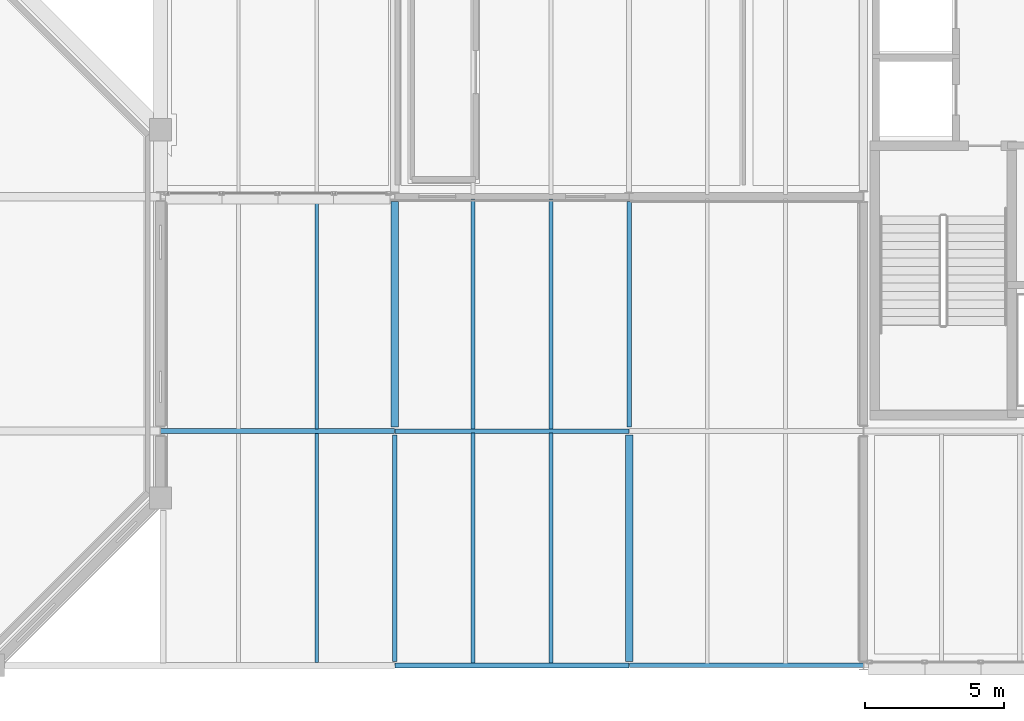
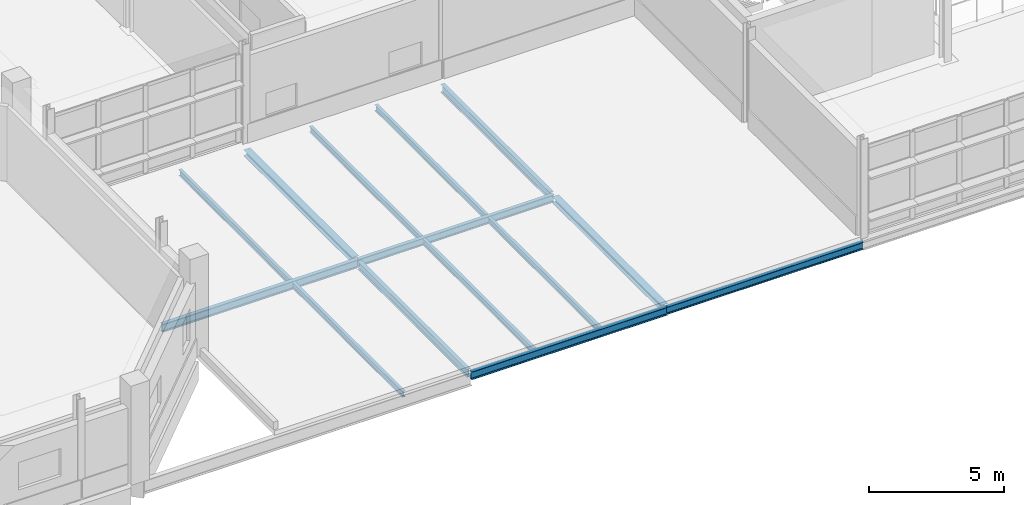
# One storey, part 24 of 129: 14 beams.
"""IFC4 building model written with IfcOpenShell, lengths in metres."""

from ifc_helpers import new_model, si_unit, direction, frame, origin, origin_2d, place, context, subcontext, project, spatial, i_section, extrude, material, material_profile, profile_set, type_object, element, save


model = new_model("IFC4")

# Units and contexts
model_context = context("Model", 3, precision=1e-05, world=origin(), true_north=direction((0.0, 1.0)))
body_context = subcontext(model_context, "Body", "Model", "MODEL_VIEW")
ifc_project = project(units=[si_unit("LENGTHUNIT", "METRE"), si_unit("AREAUNIT", "SQUARE_METRE"), si_unit("VOLUMEUNIT", "CUBIC_METRE"), si_unit("PLANEANGLEUNIT", "RADIAN"), si_unit("MASSUNIT", "GRAM", prefix="KILO")], contexts=[model_context])

# Site, building, storey
site_placement = place(None, origin())
site = spatial("IfcSite", under=ifc_project, at=site_placement, CompositionType="ELEMENT")
building_placement = place(site_placement, origin())
building = spatial("IfcBuilding", under=site, at=building_placement, Name="Mersafa Astral City Hall", CompositionType="ELEMENT")
storey_placement = place(building_placement, frame((0.0, 0.0, 5.39990234375)))
storey = spatial("IfcBuildingStorey", under=building, at=storey_placement, Name="L01", CompositionType="ELEMENT", Elevation=5.39990234375)

# Beams
ifc_material = material(Name="Steel S355", Category="steel")
ifc_material_profile_1 = material_profile(ifc_material, i_section(OverallWidth=0.135009765625, OverallDepth=0.27001953125, WebThickness=0.006591796875, FlangeThickness=0.01025390625, FilletRadius=0.014892578125, at=origin_2d()), Name="IPE 270")
ifc_profile_set_1 = profile_set([ifc_material_profile_1], Name="Steel S355")
beam_type_1 = type_object("IfcBeamType", Name="STR-BM-JOIST-IPE270", PredefinedType="JOIST", material=ifc_profile_set_1)
beam_1_placement = place(storey_placement, frame((98.0, 8.47998046875, -0.35986328125), z_axis=(0.0, 1.0, 0.0), x_axis=(-1.0, 0.0, 0.0)))
element("IfcBeam", 1, at=beam_1_placement, inside=storey, type_object=beam_type_1, Name="L01 Flat roof secondary joist 30", PredefinedType="JOIST", context=body_context, shape_type="SweptSolid", body=[
    extrude(i_section(OverallWidth=0.135009765625, OverallDepth=0.27001953125, WebThickness=0.006591796875, FlangeThickness=0.01025390625, FilletRadius=0.014892578125, at=origin_2d()), origin(), (0.0, 0.0, 1.0), 8.2451171875),
])
for number, where, z_axis, x_axis, name in (
    (2, (103.60009765625, 0.080078125, -0.35986328125), (0.0, 1.0, 0.0), (-1.0, 0.0, 0.0), "L01 Flat roof secondary joist 31"),
    (3, (106.39990234375, 0.080078125, -0.35986328125), (0.0, 1.0, 0.0), (-1.0, 0.0, 0.0), "L01 Flat roof secondary joist 32"),
    (4, (103.60009765625, 8.47509765625, -0.35986328125), (0.0, 1.0, 0.0), (-1.0, 0.0, 0.0), "L01 Flat roof secondary joist 33"),
    (5, (106.39990234375, 8.47509765625, -0.35986328125), (0.0, 1.0, 0.0), (-1.0, 0.0, 0.0), "L01 Flat roof secondary joist 34"),
):
    element("IfcBeam", number, at=place(storey_placement, frame(where, z_axis=z_axis, x_axis=x_axis)), inside=storey, type_object=beam_type_1, Name=name, PredefinedType="JOIST", context=body_context, shape_type="SweptSolid", body=[
        extrude(i_section(OverallWidth=0.135009765625, OverallDepth=0.27001953125, WebThickness=0.006591796875, FlangeThickness=0.01025390625, FilletRadius=0.014892578125, at=origin_2d()), origin(), (0.0, 0.0, 1.0), 8.244873046875),
    ])
beam_2_placement = place(storey_placement, frame((98.0, 0.10498046875, -0.35986328125), z_axis=(0.0, 1.0, 0.0), x_axis=(-1.0, 0.0, 0.0)))
element("IfcBeam", 6, at=beam_2_placement, inside=storey, type_object=beam_type_1, Name="L01 Flat roof secondary joist 48", PredefinedType="JOIST", context=body_context, shape_type="SweptSolid", body=[
    extrude(i_section(OverallWidth=0.135009765625, OverallDepth=0.27001953125, WebThickness=0.006591796875, FlangeThickness=0.01025390625, FilletRadius=0.014892578125, at=origin_2d()), origin(), (0.0, 0.0, 1.0), 8.215087890625),
])
ifc_material_profile_2 = material_profile(ifc_material, i_section(OverallWidth=0.280029296875, OverallDepth=0.27001953125, WebThickness=0.008056640625, FlangeThickness=0.012939453125, FilletRadius=0.02392578125, at=origin_2d()), Name="HEA 280")
ifc_profile_set_2 = profile_set([ifc_material_profile_2], Name="Steel S355")
beam_type_2 = type_object("IfcBeamType", Name="STR-BM-SPANDREL-HEA280", PredefinedType="SPANDREL", material=ifc_profile_set_2)
beam_3_placement = place(storey_placement, frame((100.800048828125, 8.544921875, -0.35986328125), z_axis=(0.0, 1.0, 0.0), x_axis=(-1.0, 0.0, 0.0)))
element("IfcBeam", 7, at=beam_3_placement, inside=storey, type_object=beam_type_2, Name="L01 Primary girder Y 12-1", PredefinedType="SPANDREL", context=body_context, shape_type="SweptSolid", body=[
    extrude(i_section(OverallWidth=0.280029296875, OverallDepth=0.27001953125, WebThickness=0.008056640625, FlangeThickness=0.012939453125, FilletRadius=0.02392578125, at=origin_2d()), origin(), (0.0, 0.0, 1.0), 8.080078125),
])
beam_4_placement = place(storey_placement, frame((109.199951171875, 0.14501953125, -0.35986328125), z_axis=(0.0, 1.0, 0.0), x_axis=(-1.0, 0.0, 0.0)))
element("IfcBeam", 8, at=beam_4_placement, inside=storey, type_object=beam_type_2, Name="L01 Primary girder Y 13-0", PredefinedType="SPANDREL", context=body_context, shape_type="SweptSolid", body=[
    extrude(i_section(OverallWidth=0.280029296875, OverallDepth=0.27001953125, WebThickness=0.008056640625, FlangeThickness=0.012939453125, FilletRadius=0.02392578125, at=origin_2d()), origin(), (0.0, 0.0, 1.0), 8.10986328125),
])
ifc_material_profile_3 = material_profile(ifc_material, i_section(OverallWidth=0.159912109375, OverallDepth=0.330078125, WebThickness=0.007568359375, FlangeThickness=0.011474609375, FilletRadius=0.01806640625, at=origin_2d()), Name="IPE 330")
ifc_profile_set_3 = profile_set([ifc_material_profile_3], Name="Steel S355")
beam_type_3 = type_object("IfcBeamType", Name="STR-BM-SPANDREL-IPE330", PredefinedType="SPANDREL", material=ifc_profile_set_3)
for number, where, z_axis, x_axis, name in (
    (9, (109.202880859375, 0.0, -0.389892578125), (1.0, 0.0, 0.0), (0.0, 1.0, 0.0), "L01 Primary girder X 13-0"),
    (10, (100.802978515625, 8.39990234375, -0.389892578125), (1.0, 0.0, 0.0), (0.0, 1.0, 0.0), "L01 Primary girder X 12-1"),
):
    element("IfcBeam", number, at=place(storey_placement, frame(where, z_axis=z_axis, x_axis=x_axis)), inside=storey, type_object=beam_type_3, Name=name, PredefinedType="SPANDREL", context=body_context, shape_type="SweptSolid", body=[
        extrude(i_section(OverallWidth=0.159912109375, OverallDepth=0.330078125, WebThickness=0.007568359375, FlangeThickness=0.011474609375, FilletRadius=0.01806640625, at=origin_2d()), origin(), (0.0, 0.0, 1.0), 8.39404296875),
    ])
ifc_material_profile_4 = material_profile(ifc_material, i_section(OverallWidth=0.169921875, OverallDepth=0.360107421875, WebThickness=0.008056640625, FlangeThickness=0.0126953125, FilletRadius=0.01806640625, at=origin_2d()), Name="IPE 360")
ifc_profile_set_4 = profile_set([ifc_material_profile_4], Name="Steel S355")
beam_type_4 = type_object("IfcBeamType", Name="STR-BM-SPANDREL-IPE360", PredefinedType="SPANDREL", material=ifc_profile_set_4)
for number, where, z_axis, x_axis, name in (
    (11, (100.802978515625, 0.0, -0.40478515625), (1.0, 0.0, 0.0), (0.0, 1.0, 0.0), "L01 Primary girder X 12-0"),
    (12, (92.403076171875, 8.39990234375, -0.40478515625), (1.0, 0.0, 0.0), (0.0, 1.0, 0.0), "L01 Primary girder X 11-1"),
):
    element("IfcBeam", number, at=place(storey_placement, frame(where, z_axis=z_axis, x_axis=x_axis)), inside=storey, type_object=beam_type_4, Name=name, PredefinedType="SPANDREL", context=body_context, shape_type="SweptSolid", body=[
        extrude(i_section(OverallWidth=0.169921875, OverallDepth=0.360107421875, WebThickness=0.008056640625, FlangeThickness=0.0126953125, FilletRadius=0.01806640625, at=origin_2d()), origin(), (0.0, 0.0, 1.0), 8.39404296875),
    ])
beam_5_placement = place(storey_placement, frame((100.800048828125, 0.14501953125, -0.40478515625), z_axis=(0.0, 1.0, 0.0), x_axis=(-1.0, 0.0, 0.0)))
element("IfcBeam", 13, at=beam_5_placement, inside=storey, type_object=beam_type_4, Name="L01 Primary girder Y 12-0", PredefinedType="SPANDREL", context=body_context, shape_type="SweptSolid", body=[
    extrude(i_section(OverallWidth=0.169921875, OverallDepth=0.360107421875, WebThickness=0.008056640625, FlangeThickness=0.0126953125, FilletRadius=0.01806640625, at=origin_2d()), origin(), (0.0, 0.0, 1.0), 8.10986328125),
])
beam_6_placement = place(storey_placement, frame((109.199951171875, 8.544921875, -0.40478515625), z_axis=(0.0, 1.0, 0.0), x_axis=(-1.0, 0.0, 0.0)))
element("IfcBeam", 14, at=beam_6_placement, inside=storey, type_object=beam_type_4, Name="L01 Primary girder Y 13-1", PredefinedType="SPANDREL", context=body_context, shape_type="SweptSolid", body=[
    extrude(i_section(OverallWidth=0.169921875, OverallDepth=0.360107421875, WebThickness=0.008056640625, FlangeThickness=0.0126953125, FilletRadius=0.01806640625, at=origin_2d()), origin(), (0.0, 0.0, 1.0), 8.090087890625),
])

save(model, "model.ifc")
